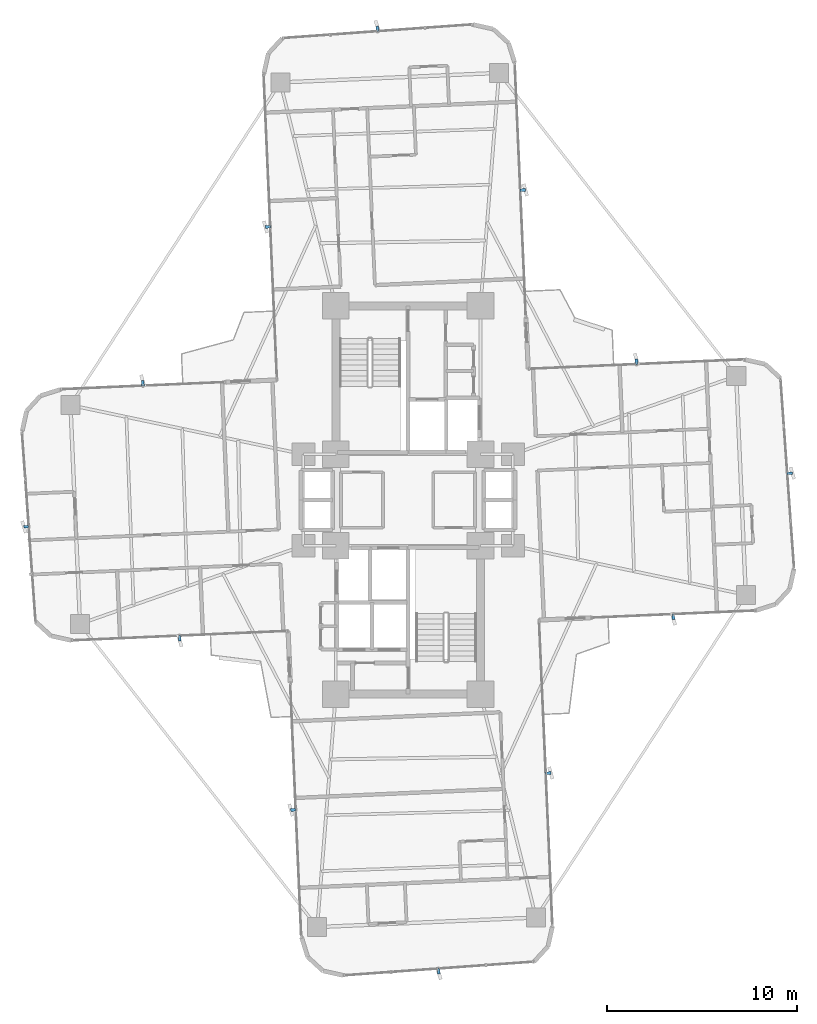
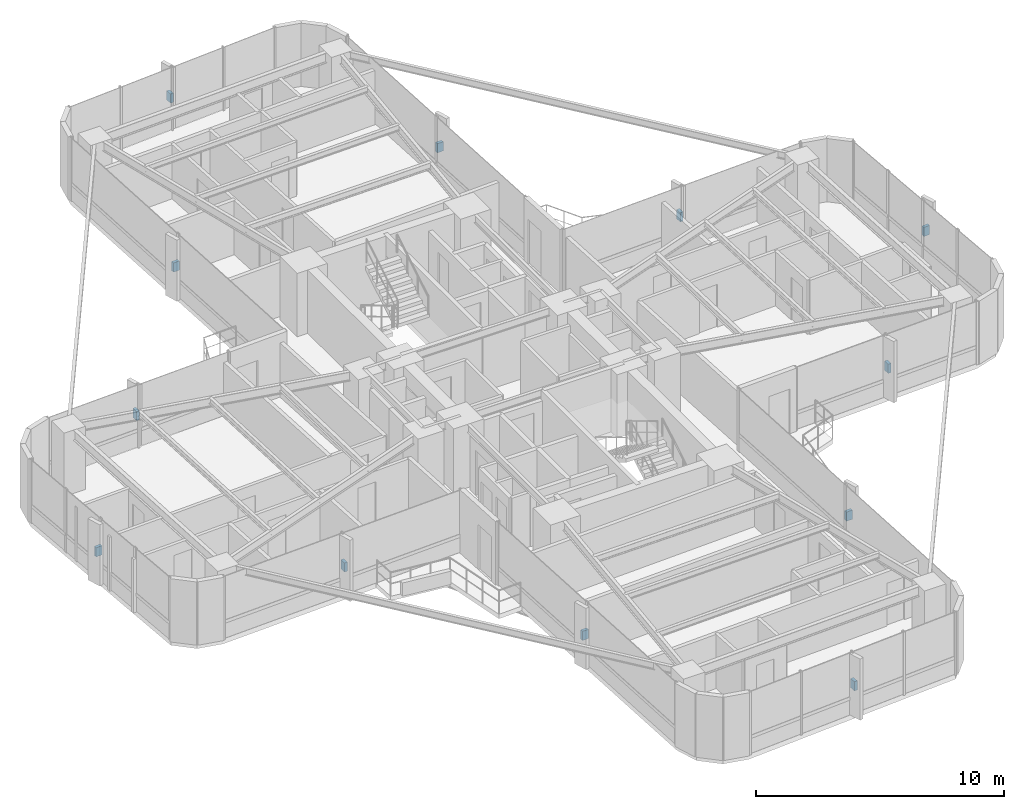
# One storey, part 26 of 27: 12 discrete accessories.
"""IFC4 building model written with IfcOpenShell, lengths in metres."""

from ifc_helpers import new_model, si_unit, direction, frame, origin, origin_2d, place, context, subcontext, project, spatial, rectangle, extrude, source, transform, mapped, material, type_object, element, save


model = new_model("IFC4")

# Units and contexts
model_context = context("Model", 3, precision=1e-05, world=origin(), true_north=direction((0.0, 1.0)))
body_context = subcontext(model_context, "Body", "Model", "MODEL_VIEW")
ifc_project = project(units=[si_unit("LENGTHUNIT", "METRE"), si_unit("AREAUNIT", "SQUARE_METRE"), si_unit("VOLUMEUNIT", "CUBIC_METRE"), si_unit("PLANEANGLEUNIT", "RADIAN"), si_unit("MASSUNIT", "GRAM", prefix="KILO")], contexts=[model_context])

# Site, building, storey
site_placement = place(None, origin())
site = spatial("IfcSite", under=ifc_project, at=site_placement, CompositionType="ELEMENT")
building_placement = place(site_placement, origin())
building = spatial("IfcBuilding", under=site, at=building_placement, Name="Sahyath Konkavel Grand Hotel", CompositionType="ELEMENT")
storey_placement = place(building_placement, frame((0.0, 0.0, 90.199951171875)))
storey = spatial("IfcBuildingStorey", under=building, at=storey_placement, Name="L24", CompositionType="ELEMENT", Elevation=90.199951171875)

# Discrete accessories
ifc_material = material(Name="Steel E350", Category="steel")
discrete_accessory_type = type_object("IfcDiscreteAccessoryType", Name="ACC-FIN-BRACKET", PredefinedType="BRACKET", material=ifc_material)
shared_shape = source(origin(), body_context, "Body", "SweptSolid", [
    extrude(rectangle(XDim=0.280029296875, YDim=0.139892578125, at=origin_2d()), origin(), (0.0, 0.0, 1.0), 0.449951171875),
])
for number, where, z_axis, x_axis, name in (
    (1, (13.9306640625, -6.128173828125, 1.330078125), (0.0, 0.0, 1.0), (0.043601950678, -0.999048982732, 0.0), "L24 Fin Support Bracket F0-1"),
    (2, (20.047119140625, 1.404296875, 1.330078125), (0.0, 0.0, 1.0), (0.997435789037, 0.071567078661, 0.0), "L24 Fin Support Bracket F4-2"),
    (3, (11.99462890625, 7.26025390625, 1.330078125), (0.0, 0.0, 1.0), (-0.043619387365, 0.999048221582, 0.0), "L24 Fin Support Bracket F7-1"),
    (4, (6.025634765625, 16.2783203125, 1.330078125), (0.0, 0.0, 1.0), (0.999048221582, 0.043619387365, 0.0), "L24 Fin Support Bracket F8-1"),
    (5, (-1.609375, 24.74267578125, 1.330078125), (0.0, 0.0, 1.0), (-0.071567078661, 0.997435789037, 0.0), "L24 Fin Support Bracket F12-2"),
    (6, (-7.362548828125, 14.342529296875, 1.330078125), (0.0, 0.0, 1.0), (-0.999048221582, -0.043619387365, 0.0), "L24 Fin Support Bracket F15-1"),
    (7, (-13.9306640625, 6.128173828125, 1.330078125), (0.0, 0.0, 1.0), (-0.043601950678, 0.999048982732, 0.0), "L24 Fin Support Bracket F16-1"),
    (8, (-20.047119140625, -1.404296875, 1.330078125), (0.0, 0.0, 1.0), (-0.997435789037, -0.071567078661, 0.0), "L24 Fin Support Bracket F20-2"),
    (9, (-11.99462890625, -7.26025390625, 1.330078125), (0.0, 0.0, 1.0), (0.043619387365, -0.999048221582, 0.0), "L24 Fin Support Bracket F23-1"),
    (10, (-6.025634765625, -16.2783203125, 1.330078125), (0.0, 0.0, 1.0), (-0.999048221582, -0.043619387365, 0.0), "L24 Fin Support Bracket F24-1"),
    (11, (1.609375, -24.74267578125, 1.330078125), (0.0, 0.0, 1.0), (0.071567078661, -0.997435789037, 0.0), "L24 Fin Support Bracket F28-2"),
    (12, (7.362548828125, -14.342529296875, 1.330078125), (0.0, 0.0, 1.0), (0.999048221582, 0.043619387365, 0.0), "L24 Fin Support Bracket F31-1"),
):
    element("IfcDiscreteAccessory", number, at=place(storey_placement, frame(where, z_axis=z_axis, x_axis=x_axis)), inside=storey, type_object=discrete_accessory_type, Name=name, PredefinedType="BRACKET", context=body_context, shape_type="MappedRepresentation", body=[
        mapped(shared_shape, transform((0.0, 0.0, 0.0), scale=1.0)),
    ])

save(model, "model.ifc")
